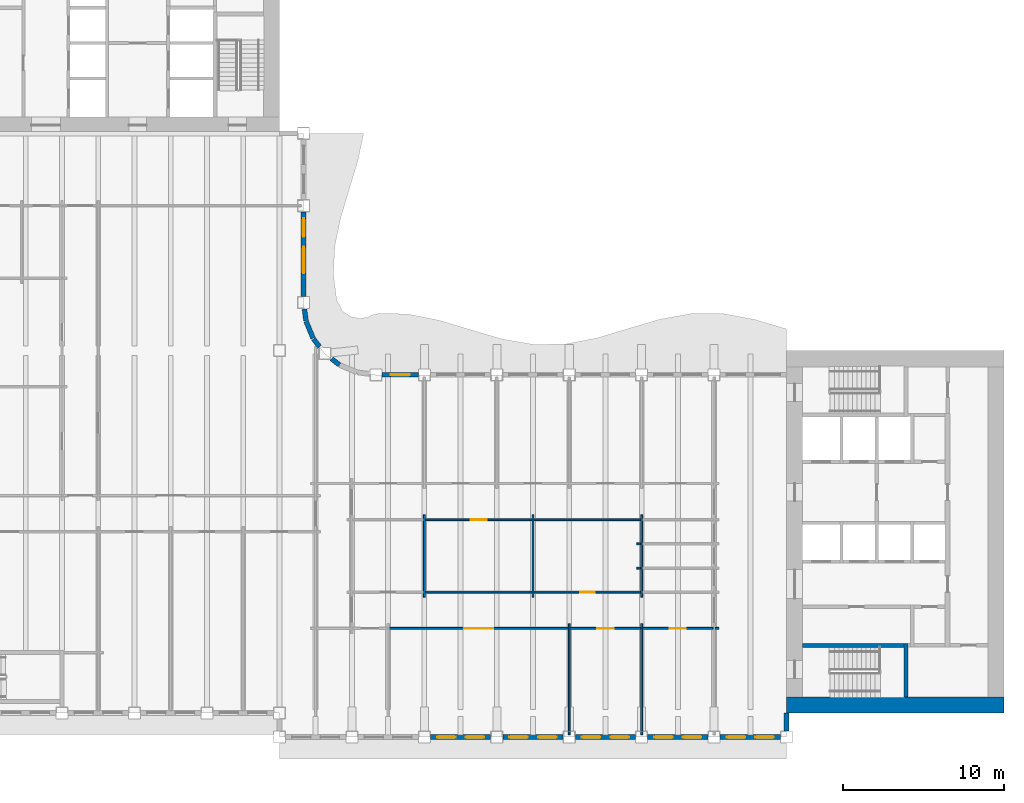
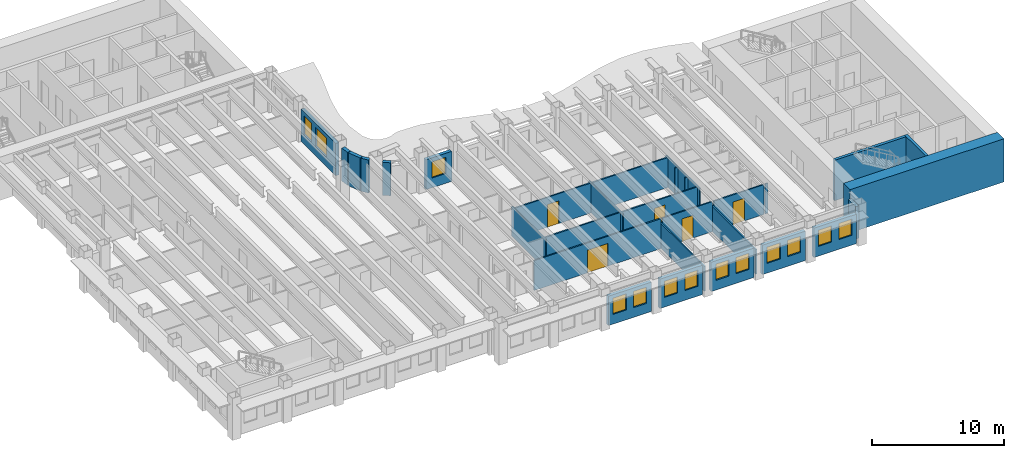
# One storey, part 5 of 16: 30 walls, 13 windows, 5 doors, 18 openings.
"""IFC4 building model written with IfcOpenShell, lengths in metres."""

from ifc_helpers import new_model, si_unit, direction, frame, frame_2d, origin, place, context, subcontext, project, spatial, rectangle, extrude, material, layer, layer_set, type_object, element, fill, save


model = new_model("IFC4")

# Units and contexts
model_context = context("Model", 3, precision=1e-05, world=origin(), true_north=direction((0.0, 1.0)))
body_context = subcontext(model_context, "Body", "Model", "MODEL_VIEW")
ifc_project = project(units=[si_unit("LENGTHUNIT", "METRE"), si_unit("AREAUNIT", "SQUARE_METRE"), si_unit("VOLUMEUNIT", "CUBIC_METRE"), si_unit("PLANEANGLEUNIT", "RADIAN"), si_unit("MASSUNIT", "GRAM", prefix="KILO")], contexts=[model_context])

# Site, building, storey
site_placement = place(None, origin())
site = spatial("IfcSite", under=ifc_project, at=site_placement, CompositionType="ELEMENT")
building_placement = place(site_placement, origin())
building = spatial("IfcBuilding", under=site, at=building_placement, Name="Sennacour Bend Tower", CompositionType="ELEMENT")
storey_placement = place(building_placement, frame((0.0, 0.0, 239.0)))
storey = spatial("IfcBuildingStorey", under=building, at=storey_placement, Name="L55", CompositionType="ELEMENT", Elevation=239.0)

# Walls
ifc_material_1 = material(Name="Concrete C60/75", Category="concrete")
ifc_layer_1 = layer(ifc_material_1, 1.0, Name="Concrete C60/75", Category="concrete")
ifc_layer_set_1 = layer_set([ifc_layer_1], Name="Concrete C60/75")
wall_type_1 = type_object("IfcWallType", Name="Core wall 1000 C60/75", PredefinedType="SHEAR", material=ifc_layer_set_1)
wall_1_placement = place(storey_placement, frame((67.5, 0.5, -0.14990234375), z_axis=(0.0, 0.0, 1.0), x_axis=(-1.0, 0.0, 0.0)))
element("IfcWall", 1, at=wall_1_placement, inside=storey, type_object=wall_type_1, Name="Core A wall L55 S", PredefinedType="SHEAR", context=body_context, shape_type="SweptSolid", body=[
    extrude(rectangle(XDim=13.5, YDim=1.0, at=frame_2d((6.75, 0.0))), origin(), (0.0, 0.0, 1.0), 4.0),
])
ifc_material_2 = material(Name="Plasterboard partition on steel studs", Category="steel")
ifc_layer_2 = layer(ifc_material_2, 0.1201171875, Name="Plasterboard partition on steel studs", Category="steel")
ifc_layer_set_2 = layer_set([ifc_layer_2], Name="Plasterboard partition on steel studs")
wall_type_2 = type_object("IfcWallType", Name="Partition 120", PredefinedType="PARTITIONING", material=ifc_layer_set_2)
for number, where, z_axis, x_axis, name in (
    (2, (31.5, 7.199951171875, 0.0), (0.0, 0.0, 1.0), (0.0, 1.0, 0.0), "P-L55-W026a"),
    (3, (38.25, 7.199951171875, 0.0), (0.0, 0.0, 1.0), (0.0, 1.0, 0.0), "P-L55-W029a"),
):
    element("IfcWall", number, at=place(storey_placement, frame(where, z_axis=z_axis, x_axis=x_axis)), inside=storey, type_object=wall_type_2, Name=name, PredefinedType="PARTITIONING", context=body_context, shape_type="SweptSolid", body=[
        extrude(rectangle(XDim=5.10009765625, YDim=0.1201171875, at=frame_2d((2.550048828125, 0.0))), origin(), (0.0, 0.0, 1.0), 2.77001953125),
    ])
for number, where, z_axis, x_axis, name in (
    (4, (40.5, -1.35009765625, 0.0), (0.0, 0.0, 1.0), (0.0, 1.0, 0.0), "P-L55-W030a"),
    (5, (45.0, -1.35009765625, 0.0), (0.0, 0.0, 1.0), (0.0, 1.0, 0.0), "P-L55-W032a"),
):
    element("IfcWall", number, at=place(storey_placement, frame(where, z_axis=z_axis, x_axis=x_axis)), inside=storey, type_object=wall_type_2, Name=name, PredefinedType="PARTITIONING", context=body_context, shape_type="SweptSolid", body=[
        extrude(rectangle(XDim=6.900146484375, YDim=0.1201171875, at=frame_2d((3.4501953125, 0.0))), origin(), (0.0, 0.0, 1.0), 2.300048828125),
    ])
wall_2_placement = place(storey_placement, frame((45.0, 7.199951171875, 0.0), z_axis=(0.0, 0.0, 1.0), x_axis=(0.0, 1.0, 0.0)))
element("IfcWall", 6, at=wall_2_placement, inside=storey, type_object=wall_type_2, Name="P-L55-W033a", PredefinedType="PARTITIONING", context=body_context, shape_type="SweptSolid", body=[
    extrude(rectangle(XDim=5.10009765625, YDim=0.1201171875, at=frame_2d((2.550048828125, 0.0))), origin(), (0.0, 0.0, 1.0), 2.77001953125),
])

# Wall, opening, door
wall_3_placement = place(storey_placement, frame((29.31005859375, 5.25, 0.0), z_axis=(0.0, 0.0, 1.0), x_axis=(1.0, 0.0, 0.0)))
wall_3 = element("IfcWall", 7, at=wall_3_placement, inside=storey, type_object=wall_type_2, Name="P-L55-W056ad", PredefinedType="PARTITIONING", context=body_context, shape_type="SweptSolid", body=[
    extrude(rectangle(XDim=11.1298828125, YDim=0.1201171875, at=frame_2d((5.56494140625, 0.0))), origin(), (0.0, 0.0, 1.0), 2.77001953125),
])
opening_1_placement = place(wall_3_placement, frame((4.664794921875, 0.0, 0.0)))
opening_1 = element("IfcOpeningElement", 8, at=opening_1_placement, cuts=wall_3, Name="Opening OD3", PredefinedType="OPENING", context=body_context, shape_type="SweptSolid", body=[
    extrude(rectangle(XDim=1.800048828125, YDim=2.10009765625, at=frame_2d((0.89990234375, 1.050048828125))), frame((0.0, 0.070068359375, 0.0), z_axis=(0.0, -1.0, 0.0), x_axis=(1.0, 0.0, 0.0)), (0.0, 0.0, 1.0), 0.14013671875),
])
ifc_material_3 = material(Name="Timber", Category="wood")
door_type_1 = type_object("IfcDoorType", Name="DR-OFFICE-1800", OperationType="NOTDEFINED", PredefinedType="DOOR", material=ifc_material_3)
door_1_placement = place(opening_1_placement, origin())
door_1 = element("IfcDoor", 9, at=door_1_placement, inside=storey, type_object=door_type_1, Name="Door", OperationType="DOUBLE_DOOR_SINGLE_SWING", OverallHeight=2.10009765625, OverallWidth=1.800048828125, PredefinedType="DOOR", context=body_context, shape_type="SweptSolid", body=[
    extrude(rectangle(XDim=1.800048828125, YDim=2.10009765625, at=frame_2d((0.89990234375, 1.050048828125))), frame((0.0, 0.02490234375, 0.0), z_axis=(0.0, -1.0, 0.0), x_axis=(1.0, 0.0, 0.0)), (0.0, 0.0, 1.0), 0.050048828125),
])
fill(opening_1, door_1)

wall_4_placement = place(storey_placement, frame((40.56005859375, 5.25, 0.0), z_axis=(0.0, 0.0, 1.0), x_axis=(1.0, 0.0, 0.0)))
wall_4 = element("IfcWall", 10, at=wall_4_placement, inside=storey, type_object=wall_type_2, Name="P-L55-W056ae", PredefinedType="PARTITIONING", context=body_context, shape_type="SweptSolid", body=[
    extrude(rectangle(XDim=4.3798828125, YDim=0.1201171875, at=frame_2d((2.18994140625, 0.0))), origin(), (0.0, 0.0, 1.0), 2.77001953125),
])
opening_2_placement = place(wall_4_placement, frame((1.68994140625, 0.0, 0.0)))
opening_2 = element("IfcOpeningElement", 11, at=opening_2_placement, cuts=wall_4, Name="Opening OD2", PredefinedType="OPENING", context=body_context, shape_type="SweptSolid", body=[
    extrude(rectangle(XDim=1.0, YDim=2.10009765625, at=frame_2d((0.5, 1.050048828125))), frame((0.0, 0.070068359375, 0.0), z_axis=(0.0, -1.0, 0.0), x_axis=(1.0, 0.0, 0.0)), (0.0, 0.0, 1.0), 0.14013671875),
])
door_type_2 = type_object("IfcDoorType", Name="DR-OFFICE-1000", OperationType="NOTDEFINED", PredefinedType="DOOR", material=ifc_material_3)
door_2_placement = place(opening_2_placement, origin())
door_2 = element("IfcDoor", 12, at=door_2_placement, inside=storey, type_object=door_type_2, Name="Door", OperationType="SINGLE_SWING_LEFT", OverallHeight=2.10009765625, OverallWidth=1.0, PredefinedType="DOOR", context=body_context, shape_type="SweptSolid", body=[
    extrude(rectangle(XDim=1.0, YDim=2.10009765625, at=frame_2d((0.5, 1.050048828125))), frame((0.0, 0.02490234375, 0.0), z_axis=(0.0, -1.0, 0.0), x_axis=(1.0, 0.0, 0.0)), (0.0, 0.0, 1.0), 0.050048828125),
])
fill(opening_2, door_2)

wall_5_placement = place(storey_placement, frame((45.06005859375, 5.25, 0.0), z_axis=(0.0, 0.0, 1.0), x_axis=(1.0, 0.0, 0.0)))
wall_5 = element("IfcWall", 13, at=wall_5_placement, inside=storey, type_object=wall_type_2, Name="P-L55-W056af", PredefinedType="PARTITIONING", context=body_context, shape_type="SweptSolid", body=[
    extrude(rectangle(XDim=4.3798828125, YDim=0.1201171875, at=frame_2d((2.18994140625, 0.0))), origin(), (0.0, 0.0, 1.0), 2.77001953125),
])
opening_3_placement = place(wall_5_placement, frame((1.68994140625, 0.0, 0.0)))
opening_3 = element("IfcOpeningElement", 14, at=opening_3_placement, cuts=wall_5, Name="Opening OD2", PredefinedType="OPENING", context=body_context, shape_type="SweptSolid", body=[
    extrude(rectangle(XDim=1.0, YDim=2.10009765625, at=frame_2d((0.5, 1.050048828125))), frame((0.0, 0.070068359375, 0.0), z_axis=(0.0, -1.0, 0.0), x_axis=(1.0, 0.0, 0.0)), (0.0, 0.0, 1.0), 0.14013671875),
])
door_3_placement = place(opening_3_placement, origin())
door_3 = element("IfcDoor", 15, at=door_3_placement, inside=storey, type_object=door_type_2, Name="Door", OperationType="SINGLE_SWING_LEFT", OverallHeight=2.10009765625, OverallWidth=1.0, PredefinedType="DOOR", context=body_context, shape_type="SweptSolid", body=[
    extrude(rectangle(XDim=1.0, YDim=2.10009765625, at=frame_2d((0.5, 1.050048828125))), frame((0.0, 0.02490234375, 0.0), z_axis=(0.0, -1.0, 0.0), x_axis=(1.0, 0.0, 0.0)), (0.0, 0.0, 1.0), 0.050048828125),
])
fill(opening_3, door_3)

# Walls
wall_6_placement = place(storey_placement, frame((49.56005859375, 5.25, 0.0), z_axis=(0.0, 0.0, 1.0), x_axis=(1.0, 0.0, 0.0)))
element("IfcWall", 16, at=wall_6_placement, inside=storey, type_object=wall_type_2, Name="P-L55-W056ag", PredefinedType="PARTITIONING", context=body_context, shape_type="SweptSolid", body=[
    extrude(rectangle(XDim=0.239990234375, YDim=0.1201171875, at=frame_2d((0.1201171875, 0.0))), origin(), (0.0, 0.0, 1.0), 2.77001953125),
])
wall_7_placement = place(storey_placement, frame((31.56005859375, 7.5, 0.0), z_axis=(0.0, 0.0, 1.0), x_axis=(1.0, 0.0, 0.0)))
element("IfcWall", 17, at=wall_7_placement, inside=storey, type_object=wall_type_2, Name="P-L55-W058ac", PredefinedType="PARTITIONING", context=body_context, shape_type="SweptSolid", body=[
    extrude(rectangle(XDim=6.6298828125, YDim=0.1201171875, at=frame_2d((3.31494140625, 0.0))), origin(), (0.0, 0.0, 1.0), 2.77001953125),
])
for number, where, z_axis, x_axis, name in (
    (18, (44.699951171875, 9.0, 0.0), (0.0, 0.0, 1.0), (1.0, 0.0, 0.0), "P-L55-W059aa"),
    (19, (44.699951171875, 10.5, 0.0), (0.0, 0.0, 1.0), (1.0, 0.0, 0.0), "P-L55-W061aa"),
):
    element("IfcWall", number, at=place(storey_placement, frame(where, z_axis=z_axis, x_axis=x_axis)), inside=storey, type_object=wall_type_2, Name=name, PredefinedType="PARTITIONING", context=body_context, shape_type="SweptSolid", body=[
        extrude(rectangle(XDim=0.239990234375, YDim=0.1201171875, at=frame_2d((0.1201171875, 0.0))), origin(), (0.0, 0.0, 1.0), 2.77001953125),
    ])

# Wall, opening, door
wall_8_placement = place(storey_placement, frame((31.56005859375, 12.0, 0.0), z_axis=(0.0, 0.0, 1.0), x_axis=(1.0, 0.0, 0.0)))
wall_8 = element("IfcWall", 20, at=wall_8_placement, inside=storey, type_object=wall_type_2, Name="P-L55-W064ac", PredefinedType="PARTITIONING", context=body_context, shape_type="SweptSolid", body=[
    extrude(rectangle(XDim=6.6298828125, YDim=0.1201171875, at=frame_2d((3.31494140625, 0.0))), origin(), (0.0, 0.0, 1.0), 2.77001953125),
])
opening_4_placement = place(wall_8_placement, frame((2.81494140625, 0.0, 0.0)))
opening_4 = element("IfcOpeningElement", 21, at=opening_4_placement, cuts=wall_8, Name="Opening OD2", PredefinedType="OPENING", context=body_context, shape_type="SweptSolid", body=[
    extrude(rectangle(XDim=1.0, YDim=2.10009765625, at=frame_2d((0.5, 1.050048828125))), frame((0.0, 0.070068359375, 0.0), z_axis=(0.0, -1.0, 0.0), x_axis=(1.0, 0.0, 0.0)), (0.0, 0.0, 1.0), 0.14013671875),
])
door_4_placement = place(opening_4_placement, origin())
door_4 = element("IfcDoor", 22, at=door_4_placement, inside=storey, type_object=door_type_2, Name="Door", OperationType="SINGLE_SWING_LEFT", OverallHeight=2.10009765625, OverallWidth=1.0, PredefinedType="DOOR", context=body_context, shape_type="SweptSolid", body=[
    extrude(rectangle(XDim=1.0, YDim=2.10009765625, at=frame_2d((0.5, 1.050048828125))), frame((0.0, 0.02490234375, 0.0), z_axis=(0.0, -1.0, 0.0), x_axis=(1.0, 0.0, 0.0)), (0.0, 0.0, 1.0), 0.050048828125),
])
fill(opening_4, door_4)

# Wall
wall_9_placement = place(storey_placement, frame((38.31005859375, 12.0, 0.0), z_axis=(0.0, 0.0, 1.0), x_axis=(1.0, 0.0, 0.0)))
element("IfcWall", 23, at=wall_9_placement, inside=storey, type_object=wall_type_2, Name="P-L55-W064ad", PredefinedType="PARTITIONING", context=body_context, shape_type="SweptSolid", body=[
    extrude(rectangle(XDim=6.6298828125, YDim=0.1201171875, at=frame_2d((3.31494140625, 0.0))), origin(), (0.0, 0.0, 1.0), 2.77001953125),
])

# Wall, opening, door
ifc_layer_3 = layer(ifc_material_2, 0.1201171875, Name="Plasterboard partition on steel studs", Category="steel")
ifc_layer_set_3 = layer_set([ifc_layer_3], Name="Plasterboard partition on steel studs")
wall_type_3 = type_object("IfcWallType", Name="Partition 120 EI 60", PredefinedType="PARTITIONING", material=ifc_layer_set_3)
wall_10_placement = place(storey_placement, frame((38.31005859375, 7.5, 0.0), z_axis=(0.0, 0.0, 1.0), x_axis=(1.0, 0.0, 0.0)))
wall_10 = element("IfcWall", 24, at=wall_10_placement, inside=storey, type_object=wall_type_3, Name="P-L55-W058ad", PredefinedType="PARTITIONING", context=body_context, shape_type="SweptSolid", body=[
    extrude(rectangle(XDim=6.6298828125, YDim=0.1201171875, at=frame_2d((3.31494140625, 0.0))), origin(), (0.0, 0.0, 1.0), 2.77001953125),
])
opening_5_placement = place(wall_10_placement, frame((2.864990234375, 0.0, 0.0)))
opening_5 = element("IfcOpeningElement", 25, at=opening_5_placement, cuts=wall_10, Name="Opening SV", PredefinedType="OPENING", context=body_context, shape_type="SweptSolid", body=[
    extrude(rectangle(XDim=0.89990234375, YDim=2.10009765625, at=frame_2d((0.449951171875, 1.050048828125))), frame((0.0, 0.070068359375, 0.0), z_axis=(0.0, -1.0, 0.0), x_axis=(1.0, 0.0, 0.0)), (0.0, 0.0, 1.0), 0.14013671875),
])
ifc_material_4 = material(Name="Painted steel", Category="steel")
door_type_3 = type_object("IfcDoorType", Name="DR-SERVICE-900", OperationType="NOTDEFINED", PredefinedType="DOOR", material=ifc_material_4)
door_5_placement = place(opening_5_placement, origin())
door_5 = element("IfcDoor", 26, at=door_5_placement, inside=storey, type_object=door_type_3, Name="Door", OperationType="SINGLE_SWING_LEFT", OverallHeight=2.10009765625, OverallWidth=0.89990234375, PredefinedType="DOOR", context=body_context, shape_type="SweptSolid", body=[
    extrude(rectangle(XDim=0.89990234375, YDim=2.10009765625, at=frame_2d((0.449951171875, 1.050048828125))), frame((0.0, 0.02490234375, 0.0), z_axis=(0.0, -1.0, 0.0), x_axis=(1.0, 0.0, 0.0)), (0.0, 0.0, 1.0), 0.050048828125),
])
fill(opening_5, door_5)

# Wall, openings, windows
ifc_material_5 = material(Name="Warm limestone cladding", Category="masonry")
ifc_layer_4 = layer(ifc_material_5, 0.050048828125, Name="Warm limestone cladding", Category="masonry")
ifc_material_6 = material(Name="Precast concrete C40/50", Category="concrete")
ifc_layer_5 = layer(ifc_material_6, 0.25, Name="Precast concrete C40/50", Category="concrete")
ifc_layer_set_4 = layer_set([ifc_layer_4, ifc_layer_5], Name="Precast concrete C40/50 with limestone cladding")
wall_type_4 = type_object("IfcWallType", Name="STONE-CLAD PRECAST SPANDREL 300", PredefinedType="STANDARD", material=ifc_layer_set_4)
wall_11_placement = place(storey_placement, frame((31.875, -1.5, 0.0), z_axis=(0.0, 0.0, 1.0), x_axis=(1.0, 0.0, 0.0)))
wall_11 = element("IfcWall", 27, at=wall_11_placement, inside=storey, type_object=wall_type_4, Name="Stone spandrel and pier wall L55 00.02", PredefinedType="STANDARD", context=body_context, shape_type="SweptSolid", body=[
    extrude(rectangle(XDim=3.75, YDim=0.300048828125, at=frame_2d((1.875, 0.0))), origin(), (0.0, 0.0, 1.0), 2.719970703125),
])
opening_6_placement = place(wall_11_placement, frame((0.41259765625, 0.0, 0.89990234375)))
opening_6 = element("IfcOpeningElement", 28, at=opening_6_placement, cuts=wall_11, Name="Opening W22", PredefinedType="OPENING", context=body_context, shape_type="SweptSolid", body=[
    extrude(rectangle(XDim=1.14990234375, YDim=1.5, at=frame_2d((0.574951171875, 0.75))), frame((0.0, 0.16015625, 0.0), z_axis=(0.0, -1.0, 0.0), x_axis=(1.0, 0.0, 0.0)), (0.0, 0.0, 1.0), 0.320068359375),
])
opening_7_placement = place(wall_11_placement, frame((2.1875, 0.0, 0.89990234375)))
opening_7 = element("IfcOpeningElement", 29, at=opening_7_placement, cuts=wall_11, Name="Opening W22", PredefinedType="OPENING", context=body_context, shape_type="SweptSolid", body=[
    extrude(rectangle(XDim=1.14990234375, YDim=1.5, at=frame_2d((0.574951171875, 0.75))), frame((0.0, 0.16015625, 0.0), z_axis=(0.0, -1.0, 0.0), x_axis=(1.0, 0.0, 0.0)), (0.0, 0.0, 1.0), 0.320068359375),
])
ifc_material_7 = material(Name="Clear low-emissivity glass", Category="glass")
window_type_1 = type_object("IfcWindowType", Name="WIN-RIBBON-1150x1500", PartitioningType="SINGLE_PANEL", PredefinedType="WINDOW", material=ifc_material_7)
window_1_placement = place(opening_6_placement, origin())
window_1 = element("IfcWindow", 30, at=window_1_placement, inside=storey, type_object=window_type_1, Name="Ribbon window L55 00.02.0", OverallHeight=1.5, OverallWidth=1.14990234375, PartitioningType="SINGLE_PANEL", PredefinedType="WINDOW", context=body_context, shape_type="SweptSolid", body=[
    extrude(rectangle(XDim=1.14990234375, YDim=1.5, at=frame_2d((0.574951171875, 0.75))), frame((0.0, 0.030029296875, 0.0), z_axis=(0.0, -1.0, 0.0), x_axis=(1.0, 0.0, 0.0)), (0.0, 0.0, 1.0), 0.06005859375),
])
fill(opening_6, window_1)
window_2_placement = place(opening_7_placement, origin())
window_2 = element("IfcWindow", 31, at=window_2_placement, inside=storey, type_object=window_type_1, Name="Ribbon window L55 00.02.1", OverallHeight=1.5, OverallWidth=1.14990234375, PartitioningType="SINGLE_PANEL", PredefinedType="WINDOW", context=body_context, shape_type="SweptSolid", body=[
    extrude(rectangle(XDim=1.14990234375, YDim=1.5, at=frame_2d((0.574951171875, 0.75))), frame((0.0, 0.030029296875, 0.0), z_axis=(0.0, -1.0, 0.0), x_axis=(1.0, 0.0, 0.0)), (0.0, 0.0, 1.0), 0.06005859375),
])
fill(opening_7, window_2)

wall_12_placement = place(storey_placement, frame((36.375, -1.5, 0.0), z_axis=(0.0, 0.0, 1.0), x_axis=(1.0, 0.0, 0.0)))
wall_12 = element("IfcWall", 32, at=wall_12_placement, inside=storey, type_object=wall_type_4, Name="Stone spandrel and pier wall L55 00.03", PredefinedType="STANDARD", context=body_context, shape_type="SweptSolid", body=[
    extrude(rectangle(XDim=3.75, YDim=0.300048828125, at=frame_2d((1.875, 0.0))), origin(), (0.0, 0.0, 1.0), 2.719970703125),
])
opening_8_placement = place(wall_12_placement, frame((0.41259765625, 0.0, 0.89990234375)))
opening_8 = element("IfcOpeningElement", 33, at=opening_8_placement, cuts=wall_12, Name="Opening W22", PredefinedType="OPENING", context=body_context, shape_type="SweptSolid", body=[
    extrude(rectangle(XDim=1.14990234375, YDim=1.5, at=frame_2d((0.574951171875, 0.75))), frame((0.0, 0.16015625, 0.0), z_axis=(0.0, -1.0, 0.0), x_axis=(1.0, 0.0, 0.0)), (0.0, 0.0, 1.0), 0.320068359375),
])
opening_9_placement = place(wall_12_placement, frame((2.1875, 0.0, 0.89990234375)))
opening_9 = element("IfcOpeningElement", 34, at=opening_9_placement, cuts=wall_12, Name="Opening W22", PredefinedType="OPENING", context=body_context, shape_type="SweptSolid", body=[
    extrude(rectangle(XDim=1.14990234375, YDim=1.5, at=frame_2d((0.574951171875, 0.75))), frame((0.0, 0.16015625, 0.0), z_axis=(0.0, -1.0, 0.0), x_axis=(1.0, 0.0, 0.0)), (0.0, 0.0, 1.0), 0.320068359375),
])
window_3_placement = place(opening_8_placement, origin())
window_3 = element("IfcWindow", 35, at=window_3_placement, inside=storey, type_object=window_type_1, Name="Ribbon window L55 00.03.0", OverallHeight=1.5, OverallWidth=1.14990234375, PartitioningType="SINGLE_PANEL", PredefinedType="WINDOW", context=body_context, shape_type="SweptSolid", body=[
    extrude(rectangle(XDim=1.14990234375, YDim=1.5, at=frame_2d((0.574951171875, 0.75))), frame((0.0, 0.030029296875, 0.0), z_axis=(0.0, -1.0, 0.0), x_axis=(1.0, 0.0, 0.0)), (0.0, 0.0, 1.0), 0.06005859375),
])
fill(opening_8, window_3)
window_4_placement = place(opening_9_placement, origin())
window_4 = element("IfcWindow", 36, at=window_4_placement, inside=storey, type_object=window_type_1, Name="Ribbon window L55 00.03.1", OverallHeight=1.5, OverallWidth=1.14990234375, PartitioningType="SINGLE_PANEL", PredefinedType="WINDOW", context=body_context, shape_type="SweptSolid", body=[
    extrude(rectangle(XDim=1.14990234375, YDim=1.5, at=frame_2d((0.574951171875, 0.75))), frame((0.0, 0.030029296875, 0.0), z_axis=(0.0, -1.0, 0.0), x_axis=(1.0, 0.0, 0.0)), (0.0, 0.0, 1.0), 0.06005859375),
])
fill(opening_9, window_4)

wall_13_placement = place(storey_placement, frame((40.875, -1.5, 0.0), z_axis=(0.0, 0.0, 1.0), x_axis=(1.0, 0.0, 0.0)))
wall_13 = element("IfcWall", 37, at=wall_13_placement, inside=storey, type_object=wall_type_4, Name="Stone spandrel and pier wall L55 00.04", PredefinedType="STANDARD", context=body_context, shape_type="SweptSolid", body=[
    extrude(rectangle(XDim=3.75, YDim=0.300048828125, at=frame_2d((1.875, 0.0))), origin(), (0.0, 0.0, 1.0), 2.719970703125),
])
opening_10_placement = place(wall_13_placement, frame((0.41259765625, 0.0, 0.89990234375)))
opening_10 = element("IfcOpeningElement", 38, at=opening_10_placement, cuts=wall_13, Name="Opening W22", PredefinedType="OPENING", context=body_context, shape_type="SweptSolid", body=[
    extrude(rectangle(XDim=1.14990234375, YDim=1.5, at=frame_2d((0.574951171875, 0.75))), frame((0.0, 0.16015625, 0.0), z_axis=(0.0, -1.0, 0.0), x_axis=(1.0, 0.0, 0.0)), (0.0, 0.0, 1.0), 0.320068359375),
])
opening_11_placement = place(wall_13_placement, frame((2.1875, 0.0, 0.89990234375)))
opening_11 = element("IfcOpeningElement", 39, at=opening_11_placement, cuts=wall_13, Name="Opening W22", PredefinedType="OPENING", context=body_context, shape_type="SweptSolid", body=[
    extrude(rectangle(XDim=1.14990234375, YDim=1.5, at=frame_2d((0.574951171875, 0.75))), frame((0.0, 0.16015625, 0.0), z_axis=(0.0, -1.0, 0.0), x_axis=(1.0, 0.0, 0.0)), (0.0, 0.0, 1.0), 0.320068359375),
])
window_5_placement = place(opening_10_placement, origin())
window_5 = element("IfcWindow", 40, at=window_5_placement, inside=storey, type_object=window_type_1, Name="Ribbon window L55 00.04.0", OverallHeight=1.5, OverallWidth=1.14990234375, PartitioningType="SINGLE_PANEL", PredefinedType="WINDOW", context=body_context, shape_type="SweptSolid", body=[
    extrude(rectangle(XDim=1.14990234375, YDim=1.5, at=frame_2d((0.574951171875, 0.75))), frame((0.0, 0.030029296875, 0.0), z_axis=(0.0, -1.0, 0.0), x_axis=(1.0, 0.0, 0.0)), (0.0, 0.0, 1.0), 0.06005859375),
])
fill(opening_10, window_5)
window_6_placement = place(opening_11_placement, origin())
window_6 = element("IfcWindow", 41, at=window_6_placement, inside=storey, type_object=window_type_1, Name="Ribbon window L55 00.04.1", OverallHeight=1.5, OverallWidth=1.14990234375, PartitioningType="SINGLE_PANEL", PredefinedType="WINDOW", context=body_context, shape_type="SweptSolid", body=[
    extrude(rectangle(XDim=1.14990234375, YDim=1.5, at=frame_2d((0.574951171875, 0.75))), frame((0.0, 0.030029296875, 0.0), z_axis=(0.0, -1.0, 0.0), x_axis=(1.0, 0.0, 0.0)), (0.0, 0.0, 1.0), 0.06005859375),
])
fill(opening_11, window_6)

wall_14_placement = place(storey_placement, frame((45.375, -1.5, 0.0), z_axis=(0.0, 0.0, 1.0), x_axis=(1.0, 0.0, 0.0)))
wall_14 = element("IfcWall", 42, at=wall_14_placement, inside=storey, type_object=wall_type_4, Name="Stone spandrel and pier wall L55 00.05", PredefinedType="STANDARD", context=body_context, shape_type="SweptSolid", body=[
    extrude(rectangle(XDim=3.75, YDim=0.300048828125, at=frame_2d((1.875, 0.0))), origin(), (0.0, 0.0, 1.0), 2.719970703125),
])
opening_12_placement = place(wall_14_placement, frame((0.41259765625, 0.0, 0.89990234375)))
opening_12 = element("IfcOpeningElement", 43, at=opening_12_placement, cuts=wall_14, Name="Opening W22", PredefinedType="OPENING", context=body_context, shape_type="SweptSolid", body=[
    extrude(rectangle(XDim=1.14990234375, YDim=1.5, at=frame_2d((0.574951171875, 0.75))), frame((0.0, 0.16015625, 0.0), z_axis=(0.0, -1.0, 0.0), x_axis=(1.0, 0.0, 0.0)), (0.0, 0.0, 1.0), 0.320068359375),
])
opening_13_placement = place(wall_14_placement, frame((2.1875, 0.0, 0.89990234375)))
opening_13 = element("IfcOpeningElement", 44, at=opening_13_placement, cuts=wall_14, Name="Opening W22", PredefinedType="OPENING", context=body_context, shape_type="SweptSolid", body=[
    extrude(rectangle(XDim=1.14990234375, YDim=1.5, at=frame_2d((0.574951171875, 0.75))), frame((0.0, 0.16015625, 0.0), z_axis=(0.0, -1.0, 0.0), x_axis=(1.0, 0.0, 0.0)), (0.0, 0.0, 1.0), 0.320068359375),
])
window_7_placement = place(opening_12_placement, origin())
window_7 = element("IfcWindow", 45, at=window_7_placement, inside=storey, type_object=window_type_1, Name="Ribbon window L55 00.05.0", OverallHeight=1.5, OverallWidth=1.14990234375, PartitioningType="SINGLE_PANEL", PredefinedType="WINDOW", context=body_context, shape_type="SweptSolid", body=[
    extrude(rectangle(XDim=1.14990234375, YDim=1.5, at=frame_2d((0.574951171875, 0.75))), frame((0.0, 0.030029296875, 0.0), z_axis=(0.0, -1.0, 0.0), x_axis=(1.0, 0.0, 0.0)), (0.0, 0.0, 1.0), 0.06005859375),
])
fill(opening_12, window_7)
window_8_placement = place(opening_13_placement, origin())
window_8 = element("IfcWindow", 46, at=window_8_placement, inside=storey, type_object=window_type_1, Name="Ribbon window L55 00.05.1", OverallHeight=1.5, OverallWidth=1.14990234375, PartitioningType="SINGLE_PANEL", PredefinedType="WINDOW", context=body_context, shape_type="SweptSolid", body=[
    extrude(rectangle(XDim=1.14990234375, YDim=1.5, at=frame_2d((0.574951171875, 0.75))), frame((0.0, 0.030029296875, 0.0), z_axis=(0.0, -1.0, 0.0), x_axis=(1.0, 0.0, 0.0)), (0.0, 0.0, 1.0), 0.06005859375),
])
fill(opening_13, window_8)

wall_15_placement = place(storey_placement, frame((49.875, -1.5, 0.0), z_axis=(0.0, 0.0, 1.0), x_axis=(1.0, 0.0, 0.0)))
wall_15 = element("IfcWall", 47, at=wall_15_placement, inside=storey, type_object=wall_type_4, Name="Stone spandrel and pier wall L55 00.06", PredefinedType="STANDARD", context=body_context, shape_type="SweptSolid", body=[
    extrude(rectangle(XDim=3.75, YDim=0.300048828125, at=frame_2d((1.875, 0.0))), origin(), (0.0, 0.0, 1.0), 2.719970703125),
])
opening_14_placement = place(wall_15_placement, frame((0.41259765625, 0.0, 0.89990234375)))
opening_14 = element("IfcOpeningElement", 48, at=opening_14_placement, cuts=wall_15, Name="Opening W22", PredefinedType="OPENING", context=body_context, shape_type="SweptSolid", body=[
    extrude(rectangle(XDim=1.14990234375, YDim=1.5, at=frame_2d((0.574951171875, 0.75))), frame((0.0, 0.16015625, 0.0), z_axis=(0.0, -1.0, 0.0), x_axis=(1.0, 0.0, 0.0)), (0.0, 0.0, 1.0), 0.320068359375),
])
opening_15_placement = place(wall_15_placement, frame((2.1875, 0.0, 0.89990234375)))
opening_15 = element("IfcOpeningElement", 49, at=opening_15_placement, cuts=wall_15, Name="Opening W22", PredefinedType="OPENING", context=body_context, shape_type="SweptSolid", body=[
    extrude(rectangle(XDim=1.14990234375, YDim=1.5, at=frame_2d((0.574951171875, 0.75))), frame((0.0, 0.16015625, 0.0), z_axis=(0.0, -1.0, 0.0), x_axis=(1.0, 0.0, 0.0)), (0.0, 0.0, 1.0), 0.320068359375),
])
window_9_placement = place(opening_14_placement, origin())
window_9 = element("IfcWindow", 50, at=window_9_placement, inside=storey, type_object=window_type_1, Name="Ribbon window L55 00.06.0", OverallHeight=1.5, OverallWidth=1.14990234375, PartitioningType="SINGLE_PANEL", PredefinedType="WINDOW", context=body_context, shape_type="SweptSolid", body=[
    extrude(rectangle(XDim=1.14990234375, YDim=1.5, at=frame_2d((0.574951171875, 0.75))), frame((0.0, 0.030029296875, 0.0), z_axis=(0.0, -1.0, 0.0), x_axis=(1.0, 0.0, 0.0)), (0.0, 0.0, 1.0), 0.06005859375),
])
fill(opening_14, window_9)
window_10_placement = place(opening_15_placement, origin())
window_10 = element("IfcWindow", 51, at=window_10_placement, inside=storey, type_object=window_type_1, Name="Ribbon window L55 00.06.1", OverallHeight=1.5, OverallWidth=1.14990234375, PartitioningType="SINGLE_PANEL", PredefinedType="WINDOW", context=body_context, shape_type="SweptSolid", body=[
    extrude(rectangle(XDim=1.14990234375, YDim=1.5, at=frame_2d((0.574951171875, 0.75))), frame((0.0, 0.030029296875, 0.0), z_axis=(0.0, -1.0, 0.0), x_axis=(1.0, 0.0, 0.0)), (0.0, 0.0, 1.0), 0.06005859375),
])
fill(opening_15, window_10)

# Wall
wall_16_placement = place(storey_placement, frame((54.0, -1.125, 0.0), z_axis=(0.0, 0.0, 1.0), x_axis=(0.0, 1.0, 0.0)))
element("IfcWall", 52, at=wall_16_placement, inside=storey, type_object=wall_type_4, Name="Stone spandrel and pier wall L55 01.00", PredefinedType="STANDARD", context=body_context, shape_type="SweptSolid", body=[
    extrude(rectangle(XDim=1.125, YDim=0.300048828125, at=frame_2d((0.5625, 0.0))), origin(), (0.0, 0.0, 1.0), 3.007080078125),
])

# Wall, opening, window
wall_17_placement = place(storey_placement, frame((31.125, 21.0, 0.0), z_axis=(0.0, 0.0, 1.0), x_axis=(-1.0, 0.0, 0.0)))
wall_17 = element("IfcWall", 53, at=wall_17_placement, inside=storey, type_object=wall_type_4, Name="Stone spandrel and pier wall L55 06.05", PredefinedType="STANDARD", context=body_context, shape_type="SweptSolid", body=[
    extrude(rectangle(XDim=2.25, YDim=0.300048828125, at=frame_2d((1.125, 0.0))), origin(), (0.0, 0.0, 1.0), 2.77001953125),
])
opening_16_placement = place(wall_17_placement, frame((0.52490234375, 0.0, 0.89990234375)))
opening_16 = element("IfcOpeningElement", 54, at=opening_16_placement, cuts=wall_17, Name="Opening W25", PredefinedType="OPENING", context=body_context, shape_type="SweptSolid", body=[
    extrude(rectangle(XDim=1.199951171875, YDim=1.5, at=frame_2d((0.60009765625, 0.75))), frame((0.0, 0.16015625, 0.0), z_axis=(0.0, -1.0, 0.0), x_axis=(1.0, 0.0, 0.0)), (0.0, 0.0, 1.0), 0.320068359375),
])
window_type_2 = type_object("IfcWindowType", Name="WIN-RIBBON-1200x1500", PartitioningType="SINGLE_PANEL", PredefinedType="WINDOW", material=ifc_material_7)
window_11_placement = place(opening_16_placement, origin())
window_11 = element("IfcWindow", 55, at=window_11_placement, inside=storey, type_object=window_type_2, Name="Ribbon window L55 06.05", OverallHeight=1.5, OverallWidth=1.199951171875, PartitioningType="SINGLE_PANEL", PredefinedType="WINDOW", context=body_context, shape_type="SweptSolid", body=[
    extrude(rectangle(XDim=1.199951171875, YDim=1.5, at=frame_2d((0.60009765625, 0.75))), frame((0.0, 0.030029296875, 0.0), z_axis=(0.0, -1.0, 0.0), x_axis=(1.0, 0.0, 0.0)), (0.0, 0.0, 1.0), 0.06005859375),
])
fill(opening_16, window_11)

# Walls
for number, where, z_axis, x_axis, name in (
    (56, (26.234375, 21.614990234375, 0.0), (0.0, 0.0, 1.0), (-0.793575131083, 0.608472276547, 0.0), "Stone spandrel and pier wall L55 09.00"),
    (57, (24.997802734375, 22.735107421875, 0.0), (0.0, 0.0, 1.0), (-0.608472276547, 0.793575131083, 0.0), "Stone spandrel and pier wall L55 10.00"),
):
    element("IfcWall", number, at=place(storey_placement, frame(where, z_axis=z_axis, x_axis=x_axis)), inside=storey, type_object=wall_type_4, Name=name, PredefinedType="STANDARD", context=body_context, shape_type="SweptSolid", body=[
        extrude(rectangle(XDim=0.629150390625, YDim=0.300048828125, at=frame_2d((0.314453125, 0.0))), origin(), (0.0, 0.0, 1.0), 3.056884765625),
    ])
wall_18_placement = place(storey_placement, frame((24.59521484375, 23.268310546875, 0.0), z_axis=(0.0, 0.0, 1.0), x_axis=(-0.382598720491, 0.923914616768, 0.0)))
element("IfcWall", 58, at=wall_18_placement, inside=storey, type_object=wall_type_4, Name="Stone spandrel and pier wall L55 11.00", PredefinedType="STANDARD", context=body_context, shape_type="SweptSolid", body=[
    extrude(rectangle(XDim=1.13525390625, YDim=0.300048828125, at=frame_2d((0.567626953125, 0.0))), origin(), (0.0, 0.0, 1.0), 3.056884765625),
])
wall_19_placement = place(storey_placement, frame((24.15087890625, 24.35498046875, 0.0), z_axis=(0.0, 0.0, 1.0), x_axis=(-0.130660917588, 0.99142711513, 0.0)))
element("IfcWall", 59, at=wall_19_placement, inside=storey, type_object=wall_type_4, Name="Stone spandrel and pier wall L55 12.00", PredefinedType="STANDARD", context=body_context, shape_type="SweptSolid", body=[
    extrude(rectangle(XDim=0.734375, YDim=0.300048828125, at=frame_2d((0.3671875, 0.0))), origin(), (0.0, 0.0, 1.0), 3.056884765625),
])

# Wall, openings, windows
wall_20_placement = place(storey_placement, frame((24.0, 25.875, 0.0), z_axis=(0.0, 0.0, 1.0), x_axis=(0.0, 1.0, 0.0)))
wall_20 = element("IfcWall", 60, at=wall_20_placement, inside=storey, type_object=wall_type_4, Name="Stone spandrel and pier wall L55 13.00", PredefinedType="STANDARD", context=body_context, shape_type="SweptSolid", body=[
    extrude(rectangle(XDim=5.25, YDim=0.300048828125, at=frame_2d((2.625, 0.0))), origin(), (0.0, 0.0, 1.0), 3.007080078125),
])
opening_17_placement = place(wall_20_placement, frame((1.425048828125, 0.0, 0.89990234375)))
opening_17 = element("IfcOpeningElement", 61, at=opening_17_placement, cuts=wall_20, Name="Opening W18", PredefinedType="OPENING", context=body_context, shape_type="SweptSolid", body=[
    extrude(rectangle(XDim=1.64990234375, YDim=1.75, at=frame_2d((0.824951171875, 0.875))), frame((0.0, 0.16015625, 0.0), z_axis=(0.0, -1.0, 0.0), x_axis=(1.0, 0.0, 0.0)), (0.0, 0.0, 1.0), 0.320068359375),
])
opening_18_placement = place(wall_20_placement, frame((3.6875, 0.0, 0.89990234375)))
opening_18 = element("IfcOpeningElement", 62, at=opening_18_placement, cuts=wall_20, Name="Opening W23", PredefinedType="OPENING", context=body_context, shape_type="SweptSolid", body=[
    extrude(rectangle(XDim=1.14990234375, YDim=1.75, at=frame_2d((0.574951171875, 0.875))), frame((0.0, 0.16015625, 0.0), z_axis=(0.0, -1.0, 0.0), x_axis=(1.0, 0.0, 0.0)), (0.0, 0.0, 1.0), 0.320068359375),
])
window_type_3 = type_object("IfcWindowType", Name="WIN-RIBBON-1150x1750", PartitioningType="SINGLE_PANEL", PredefinedType="WINDOW", material=ifc_material_7)
window_12_placement = place(opening_18_placement, origin())
window_12 = element("IfcWindow", 63, at=window_12_placement, inside=storey, type_object=window_type_3, Name="Ribbon window L55 13.00.1", OverallHeight=1.75, OverallWidth=1.14990234375, PartitioningType="SINGLE_PANEL", PredefinedType="WINDOW", context=body_context, shape_type="SweptSolid", body=[
    extrude(rectangle(XDim=1.14990234375, YDim=1.75, at=frame_2d((0.574951171875, 0.875))), frame((0.0, 0.030029296875, 0.0), z_axis=(0.0, -1.0, 0.0), x_axis=(1.0, 0.0, 0.0)), (0.0, 0.0, 1.0), 0.06005859375),
])
fill(opening_18, window_12)
window_type_4 = type_object("IfcWindowType", Name="WIN-RIBBON-1650x1750", PartitioningType="SINGLE_PANEL", PredefinedType="WINDOW", material=ifc_material_7)
window_13_placement = place(opening_17_placement, origin())
window_13 = element("IfcWindow", 64, at=window_13_placement, inside=storey, type_object=window_type_4, Name="Ribbon window L55 13.00.0", OverallHeight=1.75, OverallWidth=1.64990234375, PartitioningType="SINGLE_PANEL", PredefinedType="WINDOW", context=body_context, shape_type="SweptSolid", body=[
    extrude(rectangle(XDim=1.64990234375, YDim=1.75, at=frame_2d((0.824951171875, 0.875))), frame((0.0, 0.030029296875, 0.0), z_axis=(0.0, -1.0, 0.0), x_axis=(1.0, 0.0, 0.0)), (0.0, 0.0, 1.0), 0.06005859375),
])
fill(opening_17, window_13)

# Walls
ifc_layer_6 = layer(ifc_material_1, 0.25, Name="Concrete C60/75", Category="concrete")
ifc_layer_set_5 = layer_set([ifc_layer_6], Name="Concrete C60/75")
wall_type_5 = type_object("IfcWallType", Name="Stair wall 250", PredefinedType="SHEAR", material=ifc_layer_set_5)
wall_21_placement = place(storey_placement, frame((61.39990234375, 1.0, 0.0), z_axis=(0.0, 0.0, 1.0), x_axis=(0.0, 1.0, 0.0)))
element("IfcWall", 65, at=wall_21_placement, inside=storey, type_object=wall_type_5, Name="P-L55-W042", PredefinedType="SHEAR", context=body_context, shape_type="SweptSolid", body=[
    extrude(rectangle(XDim=3.324951171875, YDim=0.25, at=frame_2d((1.66259765625, 0.0))), origin(), (0.0, 0.0, 1.0), 3.75),
])
wall_22_placement = place(storey_placement, frame((55.0, 4.199951171875, 0.0), z_axis=(0.0, 0.0, 1.0), x_axis=(1.0, 0.0, 0.0)))
element("IfcWall", 66, at=wall_22_placement, inside=storey, type_object=wall_type_5, Name="P-L55-W054", PredefinedType="SHEAR", context=body_context, shape_type="SweptSolid", body=[
    extrude(rectangle(XDim=6.27490234375, YDim=0.25, at=frame_2d((3.137451171875, 0.0))), origin(), (0.0, 0.0, 1.0), 3.75),
])

save(model, "model.ifc")
